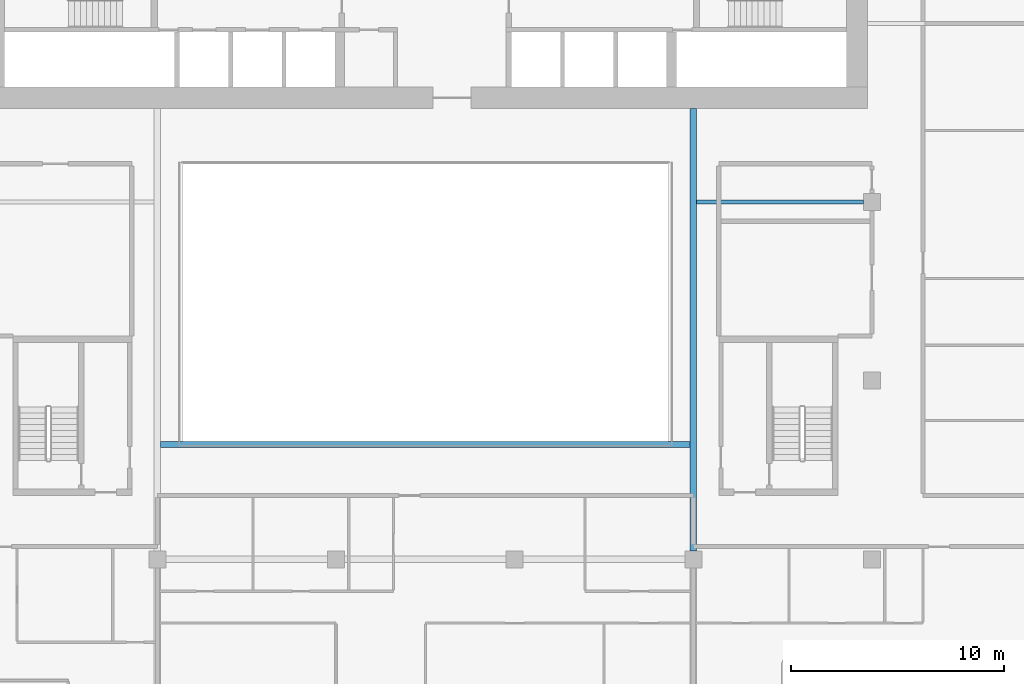
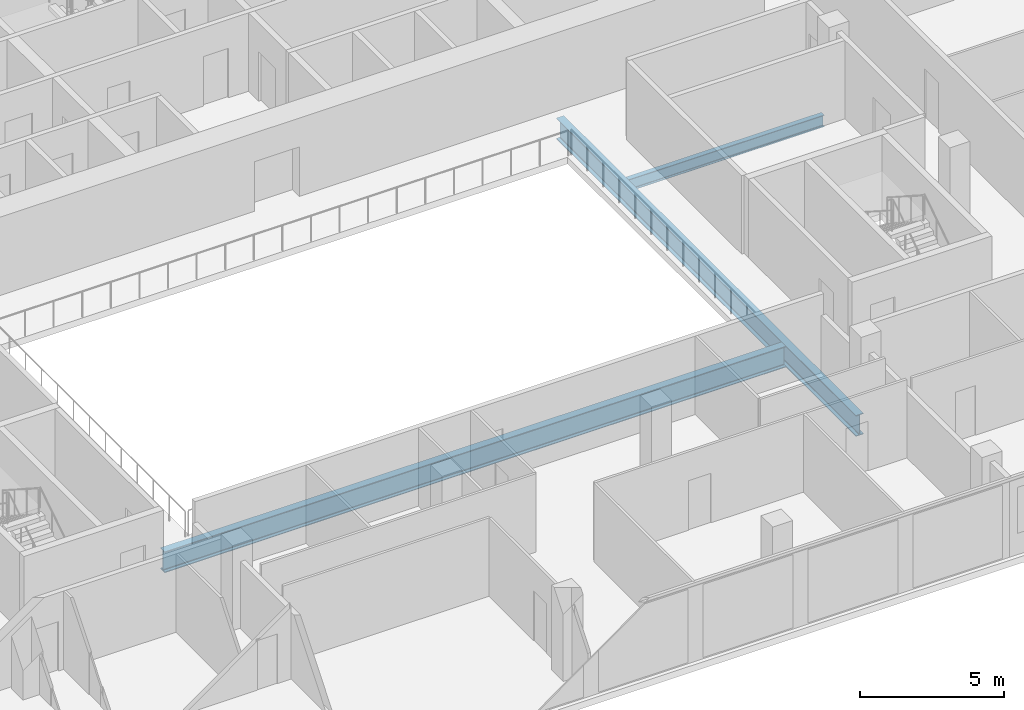
# One storey, part 7 of 29: 3 beams.
"""IFC4 building model written with IfcOpenShell, lengths in metres."""

from ifc_helpers import new_model, si_unit, direction, frame, origin, origin_2d, place, context, subcontext, project, spatial, i_section, extrude, material, material_profile, profile_set, type_object, element, save


model = new_model("IFC4")

# Units and contexts
model_context = context("Model", 3, precision=1e-05, world=origin(), true_north=direction((0.0, 1.0)))
body_context = subcontext(model_context, "Body", "Model", "MODEL_VIEW")
ifc_project = project(units=[si_unit("LENGTHUNIT", "METRE"), si_unit("AREAUNIT", "SQUARE_METRE"), si_unit("VOLUMEUNIT", "CUBIC_METRE"), si_unit("PLANEANGLEUNIT", "RADIAN"), si_unit("MASSUNIT", "GRAM", prefix="KILO")], contexts=[model_context])

# Site, building, storey
site_placement = place(None, origin())
site = spatial("IfcSite", under=ifc_project, at=site_placement, CompositionType="ELEMENT")
building_placement = place(site_placement, origin())
building = spatial("IfcBuilding", under=site, at=building_placement, Name="Saffron Gate Tower", CompositionType="ELEMENT")
storey_placement = place(building_placement, frame((0.0, 0.0, 113.25)))
storey = spatial("IfcBuildingStorey", under=building, at=storey_placement, Name="L26", CompositionType="ELEMENT", Elevation=113.25)

# Beams
ifc_material = material(Name="Structural steel S355", Category="steel")
ifc_material_profile_1 = material_profile(ifc_material, i_section(OverallWidth=0.199951171875, OverallDepth=0.5, WebThickness=0.01025390625, FlangeThickness=0.01611328125, FilletRadius=0.02099609375, at=origin_2d()))
ifc_profile_set_1 = profile_set([ifc_material_profile_1], Name="Structural steel S355")
beam_type_1 = type_object("IfcBeamType", Name="B10 IPE 500", PredefinedType="BEAM", material=ifc_profile_set_1)
beam_1_placement = place(storey_placement, frame((108.199951171875, 57.0, -0.530029296875), z_axis=(-1.0, 0.0, 0.0), x_axis=(0.0, -1.0, 0.0)))
element("IfcBeam", 1, at=beam_1_placement, inside=storey, type_object=beam_type_1, Name="B10 CORE TIE BEAM", PredefinedType="BEAM", context=body_context, shape_type="SweptSolid", body=[
    extrude(i_section(OverallWidth=0.199951171875, OverallDepth=0.5, WebThickness=0.01025390625, FlangeThickness=0.01611328125, FilletRadius=0.02099609375, at=origin_2d()), origin(), (0.0, 0.0, 1.0), 7.849853515625),
])
ifc_material_profile_2 = material_profile(ifc_material, i_section(OverallWidth=0.300048828125, OverallDepth=0.889892578125, WebThickness=0.01611328125, FlangeThickness=0.030029296875, FilletRadius=0.030029296875, at=origin_2d()))
ifc_profile_set_2 = profile_set([ifc_material_profile_2], Name="Structural steel S355")
beam_type_2 = type_object("IfcBeamType", Name="B19 HEA 900", PredefinedType="BEAM", material=ifc_profile_set_2)
beam_2_placement = place(storey_placement, frame((100.199951171875, 40.60009765625, -0.72509765625), z_axis=(0.0, 1.0, 0.0), x_axis=(-1.0, 0.0, 0.0)))
element("IfcBeam", 2, at=beam_2_placement, inside=storey, type_object=beam_type_2, Name="B19 ATRIUM GIRDER", PredefinedType="BEAM", context=body_context, shape_type="SweptSolid", body=[
    extrude(i_section(OverallWidth=0.300048828125, OverallDepth=0.889892578125, WebThickness=0.01611328125, FlangeThickness=0.030029296875, FilletRadius=0.030029296875, at=origin_2d()), origin(), (0.0, 0.0, 1.0), 20.7998046875),
])
beam_3_placement = place(storey_placement, frame((75.14990234375, 45.60009765625, -0.72509765625), z_axis=(1.0, 0.0, 0.0), x_axis=(0.0, 1.0, 0.0)))
element("IfcBeam", 3, at=beam_3_placement, inside=storey, type_object=beam_type_2, Name="B19 ATRIUM GIRDER", PredefinedType="BEAM", context=body_context, shape_type="SweptSolid", body=[
    extrude(i_section(OverallWidth=0.300048828125, OverallDepth=0.889892578125, WebThickness=0.01611328125, FlangeThickness=0.030029296875, FilletRadius=0.030029296875, at=origin_2d()), origin(), (0.0, 0.0, 1.0), 24.900146484375),
])

save(model, "model.ifc")
